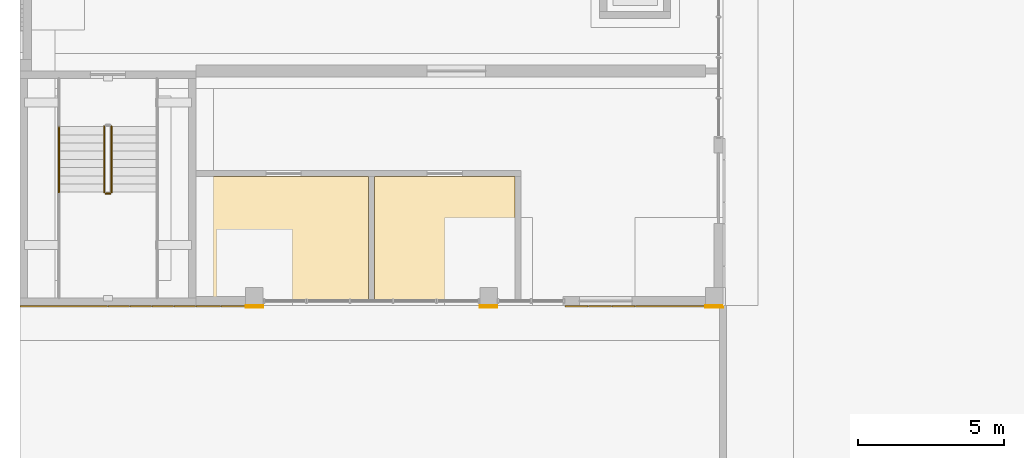
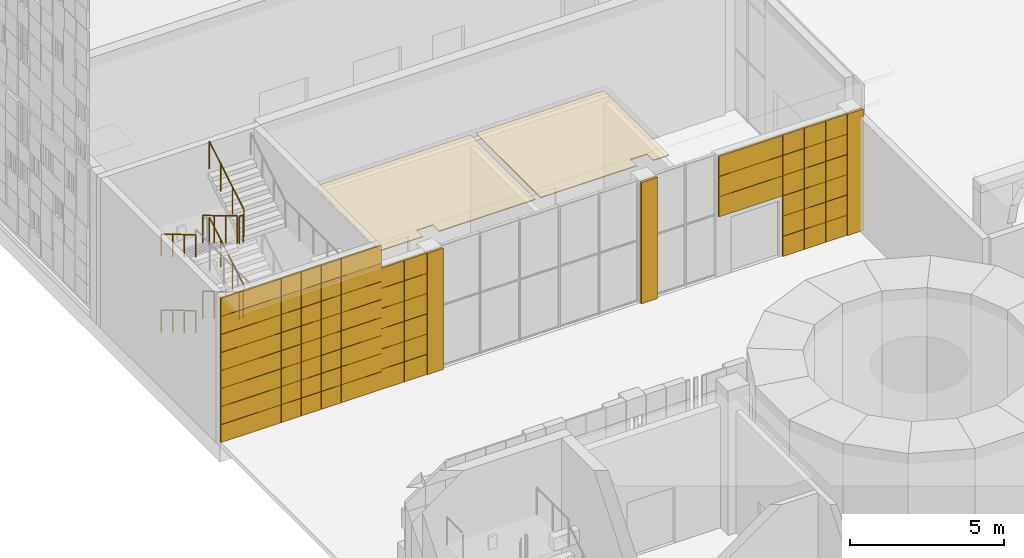
# One storey, part 87 of 125: 8 railings, 4 coverings.
"""IFC4 building model written with IfcOpenShell, lengths in metres."""

from ifc_helpers import new_model, si_unit, direction, frame, origin, origin_2d, place, context, subcontext, project, spatial, polyline, rectangle, circle, outline, extrude, material, layer, layer_set, type_object, element, save


model = new_model("IFC4")

# Units and contexts
model_context = context("Model", 3, precision=1e-05, world=origin(), true_north=direction((0.0, 1.0)))
body_context = subcontext(model_context, "Body", "Model", "MODEL_VIEW")
ifc_project = project(units=[si_unit("LENGTHUNIT", "METRE"), si_unit("AREAUNIT", "SQUARE_METRE"), si_unit("VOLUMEUNIT", "CUBIC_METRE"), si_unit("PLANEANGLEUNIT", "RADIAN"), si_unit("MASSUNIT", "GRAM", prefix="KILO")], contexts=[model_context])

# Site, building, storey
site_placement = place(None, origin())
site = spatial("IfcSite", under=ifc_project, at=site_placement, CompositionType="ELEMENT")
building_placement = place(site_placement, origin())
building = spatial("IfcBuilding", under=site, at=building_placement, Name="Sun Court Science Centre", CompositionType="ELEMENT")
storey_placement = place(building_placement, origin())
storey = spatial("IfcBuildingStorey", under=building, at=storey_placement, Name="L00", CompositionType="ELEMENT", Elevation=0.0)

# Coverings
ifc_material_1 = material(Name="Gypsum board")
ifc_layer_1 = layer(ifc_material_1, 0.030029296875)
ifc_layer_set_1 = layer_set([ifc_layer_1], Name="Gypsum board")
covering_type_1 = type_object("IfcCoveringType", Name="Ceiling suspended 600 module", PredefinedType="CEILING", material=ifc_layer_set_1)
covering_1_placement = place(storey_placement, frame((0.0, 0.0, 5.27001953125)))
element("IfcCovering", 1, at=covering_1_placement, inside=storey, type_object=covering_type_1, Name="L00-065 ceiling", PredefinedType="CEILING", context=body_context, shape_type="SweptSolid", body=[
    extrude(outline(polyline([(6.10009765625, 40.199951171875), (6.10009765625, 44.39990234375), (11.89990234375, 44.39990234375), (11.89990234375, 40.199951171875), (8.300048828125, 40.199951171875), (8.300048828125, 40.60009765625), (7.699951171875, 40.60009765625), (7.699951171875, 40.199951171875), (6.10009765625, 40.199951171875)])), origin(), (0.0, 0.0, 1.0), 0.030029296875),
])
covering_2_placement = place(storey_placement, frame((0.0, 0.0, 5.27001953125)))
element("IfcCovering", 2, at=covering_2_placement, inside=storey, type_object=covering_type_1, Name="L00-066 ceiling", PredefinedType="CEILING", context=body_context, shape_type="SweptSolid", body=[
    extrude(outline(polyline([(12.10009765625, 40.199951171875), (12.10009765625, 44.39990234375), (16.89990234375, 44.39990234375), (16.89990234375, 40.199951171875), (16.300048828125, 40.199951171875), (16.300048828125, 40.60009765625), (15.699951171875, 40.60009765625), (15.699951171875, 40.199951171875), (12.10009765625, 40.199951171875)])), origin(), (0.0, 0.0, 1.0), 0.030029296875),
])

# Railings
ifc_material_2 = material(Name="Steel S275", Category="steel")
railing_type_1 = type_object("IfcRailingType", Name="Guard 1100 steel balustrade", PredefinedType="GUARDRAIL", material=ifc_material_2)
railing_1_placement = place(storey_placement, frame((2.875, 46.10205078125, 0.166748046875)))
element("IfcRailing", 3, at=railing_1_placement, inside=storey, type_object=railing_type_1, Name="L00 ST1 stair guard 1", PredefinedType="GUARDRAIL", context=body_context, shape_type="SweptSolid", body=[
    extrude(circle(Radius=0.02392578125, at=origin_2d()), frame((0.0, 0.0, 1.076171875), z_axis=(0.0, -0.859305625298, 0.511462454469), x_axis=(1.0, 0.0, 0.0)), (0.0, 0.0, 1.0), 2.606689453125),
    extrude(circle(Radius=0.02099609375, at=origin_2d()), origin(), (0.0, 0.0, 1.0), 1.052001953125),
    extrude(circle(Radius=0.02099609375, at=origin_2d()), frame((0.0, -0.74658203125, 0.4443359375)), (0.0, 0.0, 1.0), 1.052001953125),
    extrude(circle(Radius=0.02099609375, at=origin_2d()), frame((0.0, -1.493408203125, 0.888916015625)), (0.0, 0.0, 1.0), 1.052001953125),
    extrude(circle(Radius=0.02099609375, at=origin_2d()), frame((0.0, -2.239990234375, 1.333251953125)), (0.0, 0.0, 1.0), 1.052001953125),
])
railing_2_placement = place(storey_placement, frame((2.925048828125, 43.81201171875, 1.5)))
element("IfcRailing", 4, at=railing_2_placement, inside=storey, type_object=railing_type_1, Name="L00 ST1 stair guard 2", PredefinedType="GUARDRAIL", context=body_context, shape_type="SweptSolid", body=[
    extrude(circle(Radius=0.02392578125, at=origin_2d()), frame((0.0, 0.0, 1.076171875), z_axis=(1.0, 0.0, 0.0), x_axis=(0.0, 1.0, 0.0)), (0.0, 0.0, 1.0), 0.14990234375),
    extrude(circle(Radius=0.02099609375, at=origin_2d()), origin(), (0.0, 0.0, 1.0), 1.052001953125),
    extrude(circle(Radius=0.02099609375, at=origin_2d()), frame((0.14990234375, 0.0, 0.0)), (0.0, 0.0, 1.0), 1.052001953125),
])
railing_3_placement = place(storey_placement, frame((3.125, 43.862060546875, 1.666748046875)))
element("IfcRailing", 5, at=railing_3_placement, inside=storey, type_object=railing_type_1, Name="L00 ST1 stair guard 5", PredefinedType="GUARDRAIL", context=body_context, shape_type="SweptSolid", body=[
    extrude(circle(Radius=0.02392578125, at=origin_2d()), frame((0.0, 0.0, 1.076171875), z_axis=(0.0, 0.859305625298, 0.511462454469), x_axis=(-1.0, 0.0, 0.0)), (0.0, 0.0, 1.0), 2.606689453125),
    extrude(circle(Radius=0.02099609375, at=origin_2d()), origin(), (0.0, 0.0, 1.0), 1.052001953125),
    extrude(circle(Radius=0.02099609375, at=origin_2d()), frame((0.0, 0.74658203125, 0.4443359375)), (0.0, 0.0, 1.0), 1.052001953125),
    extrude(circle(Radius=0.02099609375, at=origin_2d()), frame((0.0, 1.493408203125, 0.888916015625)), (0.0, 0.0, 1.0), 1.052001953125),
    extrude(circle(Radius=0.02099609375, at=origin_2d()), frame((0.0, 2.239990234375, 1.333251953125)), (0.0, 0.0, 1.0), 1.052001953125),
])
railing_4_placement = place(storey_placement, frame((2.875, 46.10205078125, 3.166748046875)))
element("IfcRailing", 6, at=railing_4_placement, inside=storey, type_object=railing_type_1, Name="L00 ST1 stair guard 9", PredefinedType="GUARDRAIL", context=body_context, shape_type="SweptSolid", body=[
    extrude(circle(Radius=0.02392578125, at=origin_2d()), frame((0.0, 0.0, 1.076171875), z_axis=(0.0, -0.859305625298, 0.511462454469), x_axis=(1.0, 0.0, 0.0)), (0.0, 0.0, 1.0), 2.606689453125),
    extrude(circle(Radius=0.02099609375, at=origin_2d()), origin(), (0.0, 0.0, 1.0), 1.052001953125),
    extrude(circle(Radius=0.02099609375, at=origin_2d()), frame((0.0, -0.74658203125, 0.4443359375)), (0.0, 0.0, 1.0), 1.052001953125),
    extrude(circle(Radius=0.02099609375, at=origin_2d()), frame((0.0, -1.493408203125, 0.888916015625)), (0.0, 0.0, 1.0), 1.052001953125),
    extrude(circle(Radius=0.02099609375, at=origin_2d()), frame((0.0, -2.239990234375, 1.333251953125)), (0.0, 0.0, 1.0), 1.052001953125),
])
railing_5_placement = place(storey_placement, frame((2.925048828125, 43.81201171875, 4.5)))
element("IfcRailing", 7, at=railing_5_placement, inside=storey, type_object=railing_type_1, Name="L00 ST1 stair guard 10", PredefinedType="GUARDRAIL", context=body_context, shape_type="SweptSolid", body=[
    extrude(circle(Radius=0.02392578125, at=origin_2d()), frame((0.0, 0.0, 1.076171875), z_axis=(1.0, 0.0, 0.0), x_axis=(0.0, 1.0, 0.0)), (0.0, 0.0, 1.0), 0.14990234375),
    extrude(circle(Radius=0.02099609375, at=origin_2d()), origin(), (0.0, 0.0, 1.0), 1.052001953125),
    extrude(circle(Radius=0.02099609375, at=origin_2d()), frame((0.14990234375, 0.0, 0.0)), (0.0, 0.0, 1.0), 1.052001953125),
])
railing_6_placement = place(storey_placement, frame((3.125, 43.862060546875, 4.666748046875)))
element("IfcRailing", 8, at=railing_6_placement, inside=storey, type_object=railing_type_1, Name="L00 ST1 stair guard 13", PredefinedType="GUARDRAIL", context=body_context, shape_type="SweptSolid", body=[
    extrude(circle(Radius=0.02392578125, at=origin_2d()), frame((0.0, 0.0, 1.076171875), z_axis=(0.0, 0.859305625298, 0.511462454469), x_axis=(-1.0, 0.0, 0.0)), (0.0, 0.0, 1.0), 2.606689453125),
    extrude(circle(Radius=0.02099609375, at=origin_2d()), origin(), (0.0, 0.0, 1.0), 1.052001953125),
    extrude(circle(Radius=0.02099609375, at=origin_2d()), frame((0.0, 0.74658203125, 0.4443359375)), (0.0, 0.0, 1.0), 1.052001953125),
    extrude(circle(Radius=0.02099609375, at=origin_2d()), frame((0.0, 1.493408203125, 0.888916015625)), (0.0, 0.0, 1.0), 1.052001953125),
    extrude(circle(Radius=0.02099609375, at=origin_2d()), frame((0.0, 2.239990234375, 1.333251953125)), (0.0, 0.0, 1.0), 1.052001953125),
])
ifc_material_3 = material(Name="Stainless steel", Category="steel")
railing_type_2 = type_object("IfcRailingType", Name="Handrail 900 stainless", PredefinedType="HANDRAIL", material=ifc_material_3)
for number, where, name in (
    (9, (1.326904296875, 46.10205078125, 0.166748046875), "L00 ST1 stair handrail 1"),
    (10, (1.326904296875, 46.10205078125, 3.166748046875), "L00 ST1 stair handrail 3"),
):
    element("IfcRailing", number, at=place(storey_placement, frame(where)), inside=storey, type_object=railing_type_2, Name=name, PredefinedType="HANDRAIL", context=body_context, shape_type="SweptSolid", body=[
        extrude(circle(Radius=0.02392578125, at=origin_2d()), frame((0.0, 0.0, 0.8759765625), z_axis=(0.0, -0.859305625298, 0.511462454469), x_axis=(1.0, 0.0, 0.0)), (0.0, 0.0, 1.0), 2.606689453125),
        extrude(circle(Radius=0.02099609375, at=origin_2d()), origin(), (0.0, 0.0, 1.0), 0.851806640625),
        extrude(circle(Radius=0.02099609375, at=origin_2d()), frame((0.0, -0.74658203125, 0.4443359375)), (0.0, 0.0, 1.0), 0.851806640625),
        extrude(circle(Radius=0.02099609375, at=origin_2d()), frame((0.0, -1.493408203125, 0.888916015625)), (0.0, 0.0, 1.0), 0.851806640625),
        extrude(circle(Radius=0.02099609375, at=origin_2d()), frame((0.0, -2.239990234375, 1.333251953125)), (0.0, 0.0, 1.0), 0.851806640625),
    ])

# Coverings
ifc_material_4 = material(Name="Red sandstone", Category="masonry")
ifc_layer_2 = layer(ifc_material_4, 0.080078125)
ifc_layer_set_2 = layer_set([ifc_layer_2], Name="Red sandstone")
covering_type_2 = type_object("IfcCoveringType", Name="Red sandstone pier cladding", PredefinedType="CLADDING", material=ifc_layer_set_2)
covering_3_placement = place(storey_placement, origin())
element("IfcCovering", 11, at=covering_3_placement, inside=storey, type_object=covering_type_2, Name="Red sandstone pier cladding south face L00", PredefinedType="CLADDING", context=body_context, shape_type="SweptSolid", body=[
    extrude(rectangle(XDim=0.60009765625, YDim=0.080078125, at=origin_2d()), frame((23.699951171875, 39.9599609375, 0.0), z_axis=(0.0, 0.0, 1.0), x_axis=(-1.0, 0.0, 0.0)), (0.0, 0.0, 1.0), 4.800048828125),
    extrude(rectangle(XDim=0.60009765625, YDim=0.080078125, at=origin_2d()), frame((16.0, 39.9599609375, 0.0), z_axis=(0.0, 0.0, 1.0), x_axis=(-1.0, 0.0, 0.0)), (0.0, 0.0, 1.0), 4.800048828125),
    extrude(rectangle(XDim=0.60009765625, YDim=0.080078125, at=origin_2d()), frame((8.0, 39.9599609375, 0.0), z_axis=(0.0, 0.0, 1.0), x_axis=(-1.0, 0.0, 0.0)), (0.0, 0.0, 1.0), 4.800048828125),
])
ifc_material_5 = material(Name="Red sandstone", Category="masonry")
ifc_layer_3 = layer(ifc_material_5, 0.06005859375)
ifc_layer_set_3 = layer_set([ifc_layer_3], Name="Red sandstone")
covering_type_3 = type_object("IfcCoveringType", Name="Red sandstone wall cladding 750", PredefinedType="CLADDING", material=ifc_layer_set_3)
covering_4_placement = place(storey_placement, origin())
element("IfcCovering", 12, at=covering_4_placement, inside=storey, type_object=covering_type_3, Name="Red sandstone wall cladding south face L00", PredefinedType="CLADDING", context=body_context, shape_type="SweptSolid", body=[
    extrude(rectangle(XDim=0.7900390625, YDim=0.06005859375, at=origin_2d()), frame((23.0, 39.969970703125, 0.0048828125), z_axis=(0.0, 0.0, 1.0), x_axis=(-1.0, 0.0, 0.0)), (0.0, 0.0, 1.0), 0.7900390625),
    extrude(rectangle(XDim=0.7900390625, YDim=0.06005859375, at=origin_2d()), frame((22.199951171875, 39.969970703125, 0.0048828125), z_axis=(0.0, 0.0, 1.0), x_axis=(-1.0, 0.0, 0.0)), (0.0, 0.0, 1.0), 0.7900390625),
    extrude(rectangle(XDim=0.7900390625, YDim=0.06005859375, at=origin_2d()), frame((21.39990234375, 39.969970703125, 0.0048828125), z_axis=(0.0, 0.0, 1.0), x_axis=(-1.0, 0.0, 0.0)), (0.0, 0.0, 1.0), 0.7900390625),
    extrude(rectangle(XDim=0.7900390625, YDim=0.06005859375, at=origin_2d()), frame((23.0, 39.969970703125, 0.804931640625), z_axis=(0.0, 0.0, 1.0), x_axis=(-1.0, 0.0, 0.0)), (0.0, 0.0, 1.0), 0.7900390625),
    extrude(rectangle(XDim=0.7900390625, YDim=0.06005859375, at=origin_2d()), frame((22.199951171875, 39.969970703125, 0.804931640625), z_axis=(0.0, 0.0, 1.0), x_axis=(-1.0, 0.0, 0.0)), (0.0, 0.0, 1.0), 0.7900390625),
    extrude(rectangle(XDim=0.7900390625, YDim=0.06005859375, at=origin_2d()), frame((21.39990234375, 39.969970703125, 0.804931640625), z_axis=(0.0, 0.0, 1.0), x_axis=(-1.0, 0.0, 0.0)), (0.0, 0.0, 1.0), 0.7900390625),
    extrude(rectangle(XDim=0.7900390625, YDim=0.06005859375, at=origin_2d()), frame((23.0, 39.969970703125, 1.60498046875), z_axis=(0.0, 0.0, 1.0), x_axis=(-1.0, 0.0, 0.0)), (0.0, 0.0, 1.0), 0.7900390625),
    extrude(rectangle(XDim=0.7900390625, YDim=0.06005859375, at=origin_2d()), frame((22.199951171875, 39.969970703125, 1.60498046875), z_axis=(0.0, 0.0, 1.0), x_axis=(-1.0, 0.0, 0.0)), (0.0, 0.0, 1.0), 0.7900390625),
    extrude(rectangle(XDim=0.7900390625, YDim=0.06005859375, at=origin_2d()), frame((21.39990234375, 39.969970703125, 1.60498046875), z_axis=(0.0, 0.0, 1.0), x_axis=(-1.0, 0.0, 0.0)), (0.0, 0.0, 1.0), 0.7900390625),
    extrude(rectangle(XDim=0.7900390625, YDim=0.06005859375, at=origin_2d()), frame((23.0, 39.969970703125, 2.405029296875), z_axis=(0.0, 0.0, 1.0), x_axis=(-1.0, 0.0, 0.0)), (0.0, 0.0, 1.0), 0.7900390625),
    extrude(rectangle(XDim=0.7900390625, YDim=0.06005859375, at=origin_2d()), frame((22.199951171875, 39.969970703125, 2.405029296875), z_axis=(0.0, 0.0, 1.0), x_axis=(-1.0, 0.0, 0.0)), (0.0, 0.0, 1.0), 0.7900390625),
    extrude(rectangle(XDim=0.7900390625, YDim=0.06005859375, at=origin_2d()), frame((21.39990234375, 39.969970703125, 2.405029296875), z_axis=(0.0, 0.0, 1.0), x_axis=(-1.0, 0.0, 0.0)), (0.0, 0.0, 1.0), 0.7900390625),
    extrude(rectangle(XDim=0.7900390625, YDim=0.06005859375, at=origin_2d()), frame((20.60009765625, 39.969970703125, 2.405029296875), z_axis=(0.0, 0.0, 1.0), x_axis=(-1.0, 0.0, 0.0)), (0.0, 0.0, 1.0), 0.7900390625),
    extrude(rectangle(XDim=0.7900390625, YDim=0.06005859375, at=origin_2d()), frame((19.800048828125, 39.969970703125, 2.405029296875), z_axis=(0.0, 0.0, 1.0), x_axis=(-1.0, 0.0, 0.0)), (0.0, 0.0, 1.0), 0.7900390625),
    extrude(rectangle(XDim=0.7900390625, YDim=0.06005859375, at=origin_2d()), frame((19.0, 39.969970703125, 2.405029296875), z_axis=(0.0, 0.0, 1.0), x_axis=(-1.0, 0.0, 0.0)), (0.0, 0.0, 1.0), 0.7900390625),
    extrude(rectangle(XDim=0.7900390625, YDim=0.06005859375, at=origin_2d()), frame((23.0, 39.969970703125, 3.205078125), z_axis=(0.0, 0.0, 1.0), x_axis=(-1.0, 0.0, 0.0)), (0.0, 0.0, 1.0), 0.7900390625),
    extrude(rectangle(XDim=0.7900390625, YDim=0.06005859375, at=origin_2d()), frame((22.199951171875, 39.969970703125, 3.205078125), z_axis=(0.0, 0.0, 1.0), x_axis=(-1.0, 0.0, 0.0)), (0.0, 0.0, 1.0), 0.7900390625),
    extrude(rectangle(XDim=0.7900390625, YDim=0.06005859375, at=origin_2d()), frame((21.39990234375, 39.969970703125, 3.205078125), z_axis=(0.0, 0.0, 1.0), x_axis=(-1.0, 0.0, 0.0)), (0.0, 0.0, 1.0), 0.7900390625),
    extrude(rectangle(XDim=0.7900390625, YDim=0.06005859375, at=origin_2d()), frame((20.60009765625, 39.969970703125, 3.205078125), z_axis=(0.0, 0.0, 1.0), x_axis=(-1.0, 0.0, 0.0)), (0.0, 0.0, 1.0), 0.7900390625),
    extrude(rectangle(XDim=0.7900390625, YDim=0.06005859375, at=origin_2d()), frame((19.800048828125, 39.969970703125, 3.205078125), z_axis=(0.0, 0.0, 1.0), x_axis=(-1.0, 0.0, 0.0)), (0.0, 0.0, 1.0), 0.7900390625),
    extrude(rectangle(XDim=0.7900390625, YDim=0.06005859375, at=origin_2d()), frame((19.0, 39.969970703125, 3.205078125), z_axis=(0.0, 0.0, 1.0), x_axis=(-1.0, 0.0, 0.0)), (0.0, 0.0, 1.0), 0.7900390625),
    extrude(rectangle(XDim=0.7900390625, YDim=0.06005859375, at=origin_2d()), frame((23.0, 39.969970703125, 4.0048828125), z_axis=(0.0, 0.0, 1.0), x_axis=(-1.0, 0.0, 0.0)), (0.0, 0.0, 1.0), 0.7900390625),
    extrude(rectangle(XDim=0.7900390625, YDim=0.06005859375, at=origin_2d()), frame((22.199951171875, 39.969970703125, 4.0048828125), z_axis=(0.0, 0.0, 1.0), x_axis=(-1.0, 0.0, 0.0)), (0.0, 0.0, 1.0), 0.7900390625),
    extrude(rectangle(XDim=0.7900390625, YDim=0.06005859375, at=origin_2d()), frame((21.39990234375, 39.969970703125, 4.0048828125), z_axis=(0.0, 0.0, 1.0), x_axis=(-1.0, 0.0, 0.0)), (0.0, 0.0, 1.0), 0.7900390625),
    extrude(rectangle(XDim=0.7900390625, YDim=0.06005859375, at=origin_2d()), frame((20.60009765625, 39.969970703125, 4.0048828125), z_axis=(0.0, 0.0, 1.0), x_axis=(-1.0, 0.0, 0.0)), (0.0, 0.0, 1.0), 0.7900390625),
    extrude(rectangle(XDim=0.7900390625, YDim=0.06005859375, at=origin_2d()), frame((19.800048828125, 39.969970703125, 4.0048828125), z_axis=(0.0, 0.0, 1.0), x_axis=(-1.0, 0.0, 0.0)), (0.0, 0.0, 1.0), 0.7900390625),
    extrude(rectangle(XDim=0.7900390625, YDim=0.06005859375, at=origin_2d()), frame((19.0, 39.969970703125, 4.0048828125), z_axis=(0.0, 0.0, 1.0), x_axis=(-1.0, 0.0, 0.0)), (0.0, 0.0, 1.0), 0.7900390625),
    extrude(rectangle(XDim=0.840087890625, YDim=0.06005859375, at=origin_2d()), frame((7.27490234375, 39.969970703125, 0.0048828125), z_axis=(0.0, 0.0, 1.0), x_axis=(-1.0, 0.0, 0.0)), (0.0, 0.0, 1.0), 0.7900390625),
    extrude(rectangle(XDim=0.840087890625, YDim=0.06005859375, at=origin_2d()), frame((6.425048828125, 39.969970703125, 0.0048828125), z_axis=(0.0, 0.0, 1.0), x_axis=(-1.0, 0.0, 0.0)), (0.0, 0.0, 1.0), 0.7900390625),
    extrude(rectangle(XDim=0.840087890625, YDim=0.06005859375, at=origin_2d()), frame((7.27490234375, 39.969970703125, 0.804931640625), z_axis=(0.0, 0.0, 1.0), x_axis=(-1.0, 0.0, 0.0)), (0.0, 0.0, 1.0), 0.7900390625),
    extrude(rectangle(XDim=0.840087890625, YDim=0.06005859375, at=origin_2d()), frame((6.425048828125, 39.969970703125, 0.804931640625), z_axis=(0.0, 0.0, 1.0), x_axis=(-1.0, 0.0, 0.0)), (0.0, 0.0, 1.0), 0.7900390625),
    extrude(rectangle(XDim=0.840087890625, YDim=0.06005859375, at=origin_2d()), frame((7.27490234375, 39.969970703125, 1.60498046875), z_axis=(0.0, 0.0, 1.0), x_axis=(-1.0, 0.0, 0.0)), (0.0, 0.0, 1.0), 0.7900390625),
    extrude(rectangle(XDim=0.840087890625, YDim=0.06005859375, at=origin_2d()), frame((6.425048828125, 39.969970703125, 1.60498046875), z_axis=(0.0, 0.0, 1.0), x_axis=(-1.0, 0.0, 0.0)), (0.0, 0.0, 1.0), 0.7900390625),
    extrude(rectangle(XDim=0.840087890625, YDim=0.06005859375, at=origin_2d()), frame((7.27490234375, 39.969970703125, 2.405029296875), z_axis=(0.0, 0.0, 1.0), x_axis=(-1.0, 0.0, 0.0)), (0.0, 0.0, 1.0), 0.7900390625),
    extrude(rectangle(XDim=0.840087890625, YDim=0.06005859375, at=origin_2d()), frame((6.425048828125, 39.969970703125, 2.405029296875), z_axis=(0.0, 0.0, 1.0), x_axis=(-1.0, 0.0, 0.0)), (0.0, 0.0, 1.0), 0.7900390625),
    extrude(rectangle(XDim=0.840087890625, YDim=0.06005859375, at=origin_2d()), frame((7.27490234375, 39.969970703125, 3.205078125), z_axis=(0.0, 0.0, 1.0), x_axis=(-1.0, 0.0, 0.0)), (0.0, 0.0, 1.0), 0.7900390625),
    extrude(rectangle(XDim=0.840087890625, YDim=0.06005859375, at=origin_2d()), frame((6.425048828125, 39.969970703125, 3.205078125), z_axis=(0.0, 0.0, 1.0), x_axis=(-1.0, 0.0, 0.0)), (0.0, 0.0, 1.0), 0.7900390625),
    extrude(rectangle(XDim=0.840087890625, YDim=0.06005859375, at=origin_2d()), frame((7.27490234375, 39.969970703125, 4.0048828125), z_axis=(0.0, 0.0, 1.0), x_axis=(-1.0, 0.0, 0.0)), (0.0, 0.0, 1.0), 0.7900390625),
    extrude(rectangle(XDim=0.840087890625, YDim=0.06005859375, at=origin_2d()), frame((6.425048828125, 39.969970703125, 4.0048828125), z_axis=(0.0, 0.0, 1.0), x_axis=(-1.0, 0.0, 0.0)), (0.0, 0.0, 1.0), 0.7900390625),
    extrude(rectangle(XDim=0.739990234375, YDim=0.06005859375, at=origin_2d()), frame((5.625, 39.969970703125, 0.0048828125), z_axis=(0.0, 0.0, 1.0), x_axis=(-1.0, 0.0, 0.0)), (0.0, 0.0, 1.0), 0.702392578125),
    extrude(rectangle(XDim=0.739990234375, YDim=0.06005859375, at=origin_2d()), frame((4.875, 39.969970703125, 0.0048828125), z_axis=(0.0, 0.0, 1.0), x_axis=(-1.0, 0.0, 0.0)), (0.0, 0.0, 1.0), 0.702392578125),
    extrude(rectangle(XDim=0.739990234375, YDim=0.06005859375, at=origin_2d()), frame((4.125, 39.969970703125, 0.0048828125), z_axis=(0.0, 0.0, 1.0), x_axis=(-1.0, 0.0, 0.0)), (0.0, 0.0, 1.0), 0.702392578125),
    extrude(rectangle(XDim=0.739990234375, YDim=0.06005859375, at=origin_2d()), frame((3.375, 39.969970703125, 0.0048828125), z_axis=(0.0, 0.0, 1.0), x_axis=(-1.0, 0.0, 0.0)), (0.0, 0.0, 1.0), 0.702392578125),
    extrude(rectangle(XDim=0.739990234375, YDim=0.06005859375, at=origin_2d()), frame((2.625, 39.969970703125, 0.0048828125), z_axis=(0.0, 0.0, 1.0), x_axis=(-1.0, 0.0, 0.0)), (0.0, 0.0, 1.0), 0.702392578125),
    extrude(rectangle(XDim=0.739990234375, YDim=0.06005859375, at=origin_2d()), frame((1.875, 39.969970703125, 0.0048828125), z_axis=(0.0, 0.0, 1.0), x_axis=(-1.0, 0.0, 0.0)), (0.0, 0.0, 1.0), 0.702392578125),
    extrude(rectangle(XDim=0.739990234375, YDim=0.06005859375, at=origin_2d()), frame((1.125, 39.969970703125, 0.0048828125), z_axis=(0.0, 0.0, 1.0), x_axis=(-1.0, 0.0, 0.0)), (0.0, 0.0, 1.0), 0.702392578125),
    extrude(rectangle(XDim=0.739990234375, YDim=0.06005859375, at=origin_2d()), frame((0.375, 39.969970703125, 0.0048828125), z_axis=(0.0, 0.0, 1.0), x_axis=(-1.0, 0.0, 0.0)), (0.0, 0.0, 1.0), 0.702392578125),
    extrude(rectangle(XDim=0.739990234375, YDim=0.06005859375, at=origin_2d()), frame((5.625, 39.969970703125, 0.7177734375), z_axis=(0.0, 0.0, 1.0), x_axis=(-1.0, 0.0, 0.0)), (0.0, 0.0, 1.0), 0.702392578125),
    extrude(rectangle(XDim=0.739990234375, YDim=0.06005859375, at=origin_2d()), frame((4.875, 39.969970703125, 0.7177734375), z_axis=(0.0, 0.0, 1.0), x_axis=(-1.0, 0.0, 0.0)), (0.0, 0.0, 1.0), 0.702392578125),
    extrude(rectangle(XDim=0.739990234375, YDim=0.06005859375, at=origin_2d()), frame((4.125, 39.969970703125, 0.7177734375), z_axis=(0.0, 0.0, 1.0), x_axis=(-1.0, 0.0, 0.0)), (0.0, 0.0, 1.0), 0.702392578125),
    extrude(rectangle(XDim=0.739990234375, YDim=0.06005859375, at=origin_2d()), frame((3.375, 39.969970703125, 0.7177734375), z_axis=(0.0, 0.0, 1.0), x_axis=(-1.0, 0.0, 0.0)), (0.0, 0.0, 1.0), 0.702392578125),
    extrude(rectangle(XDim=0.739990234375, YDim=0.06005859375, at=origin_2d()), frame((2.625, 39.969970703125, 0.7177734375), z_axis=(0.0, 0.0, 1.0), x_axis=(-1.0, 0.0, 0.0)), (0.0, 0.0, 1.0), 0.702392578125),
    extrude(rectangle(XDim=0.739990234375, YDim=0.06005859375, at=origin_2d()), frame((1.875, 39.969970703125, 0.7177734375), z_axis=(0.0, 0.0, 1.0), x_axis=(-1.0, 0.0, 0.0)), (0.0, 0.0, 1.0), 0.702392578125),
    extrude(rectangle(XDim=0.739990234375, YDim=0.06005859375, at=origin_2d()), frame((1.125, 39.969970703125, 0.7177734375), z_axis=(0.0, 0.0, 1.0), x_axis=(-1.0, 0.0, 0.0)), (0.0, 0.0, 1.0), 0.702392578125),
    extrude(rectangle(XDim=0.739990234375, YDim=0.06005859375, at=origin_2d()), frame((0.375, 39.969970703125, 0.7177734375), z_axis=(0.0, 0.0, 1.0), x_axis=(-1.0, 0.0, 0.0)), (0.0, 0.0, 1.0), 0.702392578125),
    extrude(rectangle(XDim=0.739990234375, YDim=0.06005859375, at=origin_2d()), frame((5.625, 39.969970703125, 1.43017578125), z_axis=(0.0, 0.0, 1.0), x_axis=(-1.0, 0.0, 0.0)), (0.0, 0.0, 1.0), 0.702392578125),
    extrude(rectangle(XDim=0.739990234375, YDim=0.06005859375, at=origin_2d()), frame((4.875, 39.969970703125, 1.43017578125), z_axis=(0.0, 0.0, 1.0), x_axis=(-1.0, 0.0, 0.0)), (0.0, 0.0, 1.0), 0.702392578125),
    extrude(rectangle(XDim=0.739990234375, YDim=0.06005859375, at=origin_2d()), frame((4.125, 39.969970703125, 1.43017578125), z_axis=(0.0, 0.0, 1.0), x_axis=(-1.0, 0.0, 0.0)), (0.0, 0.0, 1.0), 0.702392578125),
    extrude(rectangle(XDim=0.739990234375, YDim=0.06005859375, at=origin_2d()), frame((3.375, 39.969970703125, 1.43017578125), z_axis=(0.0, 0.0, 1.0), x_axis=(-1.0, 0.0, 0.0)), (0.0, 0.0, 1.0), 0.702392578125),
    extrude(rectangle(XDim=0.739990234375, YDim=0.06005859375, at=origin_2d()), frame((2.625, 39.969970703125, 1.43017578125), z_axis=(0.0, 0.0, 1.0), x_axis=(-1.0, 0.0, 0.0)), (0.0, 0.0, 1.0), 0.702392578125),
    extrude(rectangle(XDim=0.739990234375, YDim=0.06005859375, at=origin_2d()), frame((1.875, 39.969970703125, 1.43017578125), z_axis=(0.0, 0.0, 1.0), x_axis=(-1.0, 0.0, 0.0)), (0.0, 0.0, 1.0), 0.702392578125),
    extrude(rectangle(XDim=0.739990234375, YDim=0.06005859375, at=origin_2d()), frame((1.125, 39.969970703125, 1.43017578125), z_axis=(0.0, 0.0, 1.0), x_axis=(-1.0, 0.0, 0.0)), (0.0, 0.0, 1.0), 0.702392578125),
    extrude(rectangle(XDim=0.739990234375, YDim=0.06005859375, at=origin_2d()), frame((0.375, 39.969970703125, 1.43017578125), z_axis=(0.0, 0.0, 1.0), x_axis=(-1.0, 0.0, 0.0)), (0.0, 0.0, 1.0), 0.702392578125),
    extrude(rectangle(XDim=0.739990234375, YDim=0.06005859375, at=origin_2d()), frame((5.625, 39.969970703125, 2.142578125), z_axis=(0.0, 0.0, 1.0), x_axis=(-1.0, 0.0, 0.0)), (0.0, 0.0, 1.0), 0.702392578125),
    extrude(rectangle(XDim=0.739990234375, YDim=0.06005859375, at=origin_2d()), frame((4.875, 39.969970703125, 2.142578125), z_axis=(0.0, 0.0, 1.0), x_axis=(-1.0, 0.0, 0.0)), (0.0, 0.0, 1.0), 0.702392578125),
    extrude(rectangle(XDim=0.739990234375, YDim=0.06005859375, at=origin_2d()), frame((4.125, 39.969970703125, 2.142578125), z_axis=(0.0, 0.0, 1.0), x_axis=(-1.0, 0.0, 0.0)), (0.0, 0.0, 1.0), 0.702392578125),
    extrude(rectangle(XDim=0.739990234375, YDim=0.06005859375, at=origin_2d()), frame((3.375, 39.969970703125, 2.142578125), z_axis=(0.0, 0.0, 1.0), x_axis=(-1.0, 0.0, 0.0)), (0.0, 0.0, 1.0), 0.702392578125),
    extrude(rectangle(XDim=0.739990234375, YDim=0.06005859375, at=origin_2d()), frame((2.625, 39.969970703125, 2.142578125), z_axis=(0.0, 0.0, 1.0), x_axis=(-1.0, 0.0, 0.0)), (0.0, 0.0, 1.0), 0.702392578125),
    extrude(rectangle(XDim=0.739990234375, YDim=0.06005859375, at=origin_2d()), frame((1.875, 39.969970703125, 2.142578125), z_axis=(0.0, 0.0, 1.0), x_axis=(-1.0, 0.0, 0.0)), (0.0, 0.0, 1.0), 0.702392578125),
    extrude(rectangle(XDim=0.739990234375, YDim=0.06005859375, at=origin_2d()), frame((1.125, 39.969970703125, 2.142578125), z_axis=(0.0, 0.0, 1.0), x_axis=(-1.0, 0.0, 0.0)), (0.0, 0.0, 1.0), 0.702392578125),
    extrude(rectangle(XDim=0.739990234375, YDim=0.06005859375, at=origin_2d()), frame((0.375, 39.969970703125, 2.142578125), z_axis=(0.0, 0.0, 1.0), x_axis=(-1.0, 0.0, 0.0)), (0.0, 0.0, 1.0), 0.702392578125),
    extrude(rectangle(XDim=0.739990234375, YDim=0.06005859375, at=origin_2d()), frame((5.625, 39.969970703125, 2.85498046875), z_axis=(0.0, 0.0, 1.0), x_axis=(-1.0, 0.0, 0.0)), (0.0, 0.0, 1.0), 0.702392578125),
    extrude(rectangle(XDim=0.739990234375, YDim=0.06005859375, at=origin_2d()), frame((4.875, 39.969970703125, 2.85498046875), z_axis=(0.0, 0.0, 1.0), x_axis=(-1.0, 0.0, 0.0)), (0.0, 0.0, 1.0), 0.702392578125),
    extrude(rectangle(XDim=0.739990234375, YDim=0.06005859375, at=origin_2d()), frame((4.125, 39.969970703125, 2.85498046875), z_axis=(0.0, 0.0, 1.0), x_axis=(-1.0, 0.0, 0.0)), (0.0, 0.0, 1.0), 0.702392578125),
    extrude(rectangle(XDim=0.739990234375, YDim=0.06005859375, at=origin_2d()), frame((3.375, 39.969970703125, 2.85498046875), z_axis=(0.0, 0.0, 1.0), x_axis=(-1.0, 0.0, 0.0)), (0.0, 0.0, 1.0), 0.702392578125),
    extrude(rectangle(XDim=0.739990234375, YDim=0.06005859375, at=origin_2d()), frame((2.625, 39.969970703125, 2.85498046875), z_axis=(0.0, 0.0, 1.0), x_axis=(-1.0, 0.0, 0.0)), (0.0, 0.0, 1.0), 0.702392578125),
    extrude(rectangle(XDim=0.739990234375, YDim=0.06005859375, at=origin_2d()), frame((1.875, 39.969970703125, 2.85498046875), z_axis=(0.0, 0.0, 1.0), x_axis=(-1.0, 0.0, 0.0)), (0.0, 0.0, 1.0), 0.702392578125),
    extrude(rectangle(XDim=0.739990234375, YDim=0.06005859375, at=origin_2d()), frame((1.125, 39.969970703125, 2.85498046875), z_axis=(0.0, 0.0, 1.0), x_axis=(-1.0, 0.0, 0.0)), (0.0, 0.0, 1.0), 0.702392578125),
    extrude(rectangle(XDim=0.739990234375, YDim=0.06005859375, at=origin_2d()), frame((0.375, 39.969970703125, 2.85498046875), z_axis=(0.0, 0.0, 1.0), x_axis=(-1.0, 0.0, 0.0)), (0.0, 0.0, 1.0), 0.702392578125),
    extrude(rectangle(XDim=0.739990234375, YDim=0.06005859375, at=origin_2d()), frame((5.625, 39.969970703125, 3.5673828125), z_axis=(0.0, 0.0, 1.0), x_axis=(-1.0, 0.0, 0.0)), (0.0, 0.0, 1.0), 0.702392578125),
    extrude(rectangle(XDim=0.739990234375, YDim=0.06005859375, at=origin_2d()), frame((4.875, 39.969970703125, 3.5673828125), z_axis=(0.0, 0.0, 1.0), x_axis=(-1.0, 0.0, 0.0)), (0.0, 0.0, 1.0), 0.702392578125),
    extrude(rectangle(XDim=0.739990234375, YDim=0.06005859375, at=origin_2d()), frame((4.125, 39.969970703125, 3.5673828125), z_axis=(0.0, 0.0, 1.0), x_axis=(-1.0, 0.0, 0.0)), (0.0, 0.0, 1.0), 0.702392578125),
    extrude(rectangle(XDim=0.739990234375, YDim=0.06005859375, at=origin_2d()), frame((3.375, 39.969970703125, 3.5673828125), z_axis=(0.0, 0.0, 1.0), x_axis=(-1.0, 0.0, 0.0)), (0.0, 0.0, 1.0), 0.702392578125),
    extrude(rectangle(XDim=0.739990234375, YDim=0.06005859375, at=origin_2d()), frame((2.625, 39.969970703125, 3.5673828125), z_axis=(0.0, 0.0, 1.0), x_axis=(-1.0, 0.0, 0.0)), (0.0, 0.0, 1.0), 0.702392578125),
    extrude(rectangle(XDim=0.739990234375, YDim=0.06005859375, at=origin_2d()), frame((1.875, 39.969970703125, 3.5673828125), z_axis=(0.0, 0.0, 1.0), x_axis=(-1.0, 0.0, 0.0)), (0.0, 0.0, 1.0), 0.702392578125),
    extrude(rectangle(XDim=0.739990234375, YDim=0.06005859375, at=origin_2d()), frame((1.125, 39.969970703125, 3.5673828125), z_axis=(0.0, 0.0, 1.0), x_axis=(-1.0, 0.0, 0.0)), (0.0, 0.0, 1.0), 0.702392578125),
    extrude(rectangle(XDim=0.739990234375, YDim=0.06005859375, at=origin_2d()), frame((0.375, 39.969970703125, 3.5673828125), z_axis=(0.0, 0.0, 1.0), x_axis=(-1.0, 0.0, 0.0)), (0.0, 0.0, 1.0), 0.702392578125),
    extrude(rectangle(XDim=0.739990234375, YDim=0.06005859375, at=origin_2d()), frame((5.625, 39.969970703125, 4.2802734375), z_axis=(0.0, 0.0, 1.0), x_axis=(-1.0, 0.0, 0.0)), (0.0, 0.0, 1.0), 0.702392578125),
    extrude(rectangle(XDim=0.739990234375, YDim=0.06005859375, at=origin_2d()), frame((4.875, 39.969970703125, 4.2802734375), z_axis=(0.0, 0.0, 1.0), x_axis=(-1.0, 0.0, 0.0)), (0.0, 0.0, 1.0), 0.702392578125),
    extrude(rectangle(XDim=0.739990234375, YDim=0.06005859375, at=origin_2d()), frame((4.125, 39.969970703125, 4.2802734375), z_axis=(0.0, 0.0, 1.0), x_axis=(-1.0, 0.0, 0.0)), (0.0, 0.0, 1.0), 0.702392578125),
    extrude(rectangle(XDim=0.739990234375, YDim=0.06005859375, at=origin_2d()), frame((3.375, 39.969970703125, 4.2802734375), z_axis=(0.0, 0.0, 1.0), x_axis=(-1.0, 0.0, 0.0)), (0.0, 0.0, 1.0), 0.702392578125),
    extrude(rectangle(XDim=0.739990234375, YDim=0.06005859375, at=origin_2d()), frame((2.625, 39.969970703125, 4.2802734375), z_axis=(0.0, 0.0, 1.0), x_axis=(-1.0, 0.0, 0.0)), (0.0, 0.0, 1.0), 0.702392578125),
    extrude(rectangle(XDim=0.739990234375, YDim=0.06005859375, at=origin_2d()), frame((1.875, 39.969970703125, 4.2802734375), z_axis=(0.0, 0.0, 1.0), x_axis=(-1.0, 0.0, 0.0)), (0.0, 0.0, 1.0), 0.702392578125),
    extrude(rectangle(XDim=0.739990234375, YDim=0.06005859375, at=origin_2d()), frame((1.125, 39.969970703125, 4.2802734375), z_axis=(0.0, 0.0, 1.0), x_axis=(-1.0, 0.0, 0.0)), (0.0, 0.0, 1.0), 0.702392578125),
    extrude(rectangle(XDim=0.739990234375, YDim=0.06005859375, at=origin_2d()), frame((0.375, 39.969970703125, 4.2802734375), z_axis=(0.0, 0.0, 1.0), x_axis=(-1.0, 0.0, 0.0)), (0.0, 0.0, 1.0), 0.702392578125),
    extrude(rectangle(XDim=0.739990234375, YDim=0.06005859375, at=origin_2d()), frame((5.625, 39.969970703125, 4.99267578125), z_axis=(0.0, 0.0, 1.0), x_axis=(-1.0, 0.0, 0.0)), (0.0, 0.0, 1.0), 0.702392578125),
    extrude(rectangle(XDim=0.739990234375, YDim=0.06005859375, at=origin_2d()), frame((4.875, 39.969970703125, 4.99267578125), z_axis=(0.0, 0.0, 1.0), x_axis=(-1.0, 0.0, 0.0)), (0.0, 0.0, 1.0), 0.702392578125),
    extrude(rectangle(XDim=0.739990234375, YDim=0.06005859375, at=origin_2d()), frame((4.125, 39.969970703125, 4.99267578125), z_axis=(0.0, 0.0, 1.0), x_axis=(-1.0, 0.0, 0.0)), (0.0, 0.0, 1.0), 0.702392578125),
    extrude(rectangle(XDim=0.739990234375, YDim=0.06005859375, at=origin_2d()), frame((3.375, 39.969970703125, 4.99267578125), z_axis=(0.0, 0.0, 1.0), x_axis=(-1.0, 0.0, 0.0)), (0.0, 0.0, 1.0), 0.702392578125),
    extrude(rectangle(XDim=0.739990234375, YDim=0.06005859375, at=origin_2d()), frame((2.625, 39.969970703125, 4.99267578125), z_axis=(0.0, 0.0, 1.0), x_axis=(-1.0, 0.0, 0.0)), (0.0, 0.0, 1.0), 0.702392578125),
    extrude(rectangle(XDim=0.739990234375, YDim=0.06005859375, at=origin_2d()), frame((1.875, 39.969970703125, 4.99267578125), z_axis=(0.0, 0.0, 1.0), x_axis=(-1.0, 0.0, 0.0)), (0.0, 0.0, 1.0), 0.702392578125),
    extrude(rectangle(XDim=0.739990234375, YDim=0.06005859375, at=origin_2d()), frame((1.125, 39.969970703125, 4.99267578125), z_axis=(0.0, 0.0, 1.0), x_axis=(-1.0, 0.0, 0.0)), (0.0, 0.0, 1.0), 0.702392578125),
    extrude(rectangle(XDim=0.739990234375, YDim=0.06005859375, at=origin_2d()), frame((0.375, 39.969970703125, 4.99267578125), z_axis=(0.0, 0.0, 1.0), x_axis=(-1.0, 0.0, 0.0)), (0.0, 0.0, 1.0), 0.702392578125),
])

save(model, "model.ifc")
